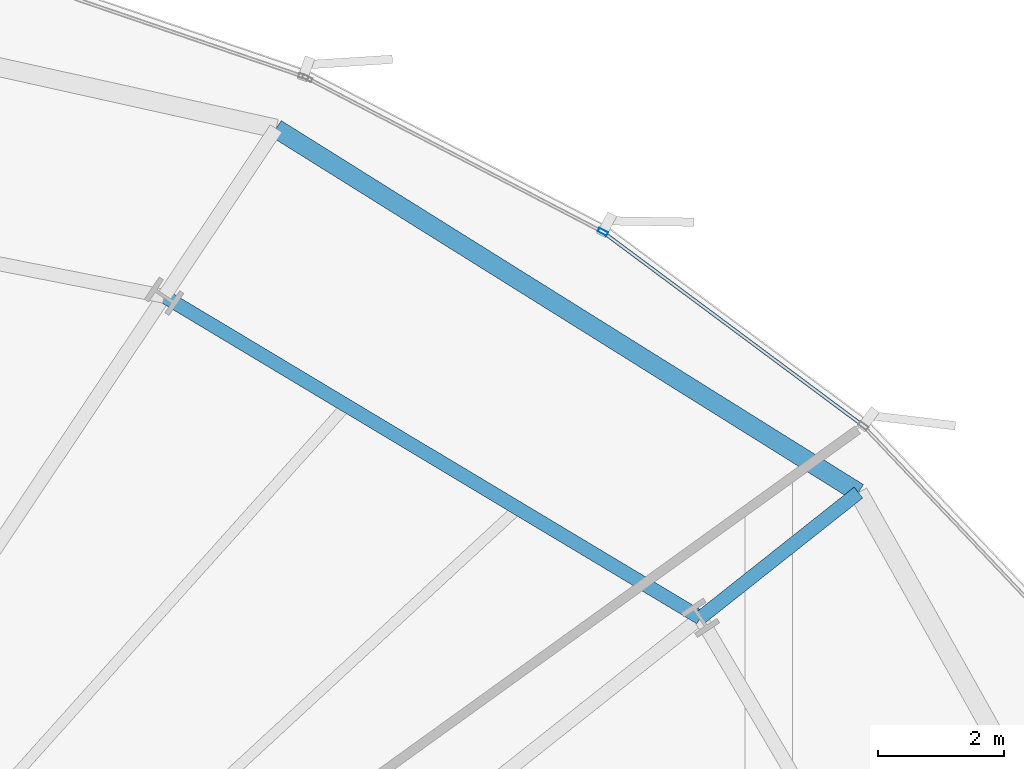
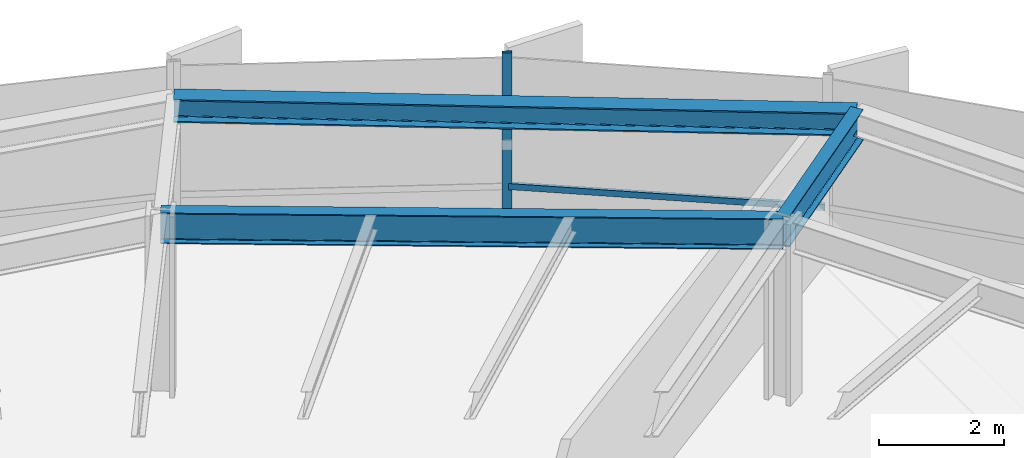
# One storey, part 28 of 42: 3 beams, 2 members, 1 element without a shape of its own.
"""IFC4 building model written with IfcOpenShell, lengths in metres."""

from ifc_helpers import new_model, si_unit, direction, frame, origin, origin_2d, place, context, subcontext, project, spatial, hollow_rectangle, i_section, extrude, source, transform, mapped, material, layer, layer_set, material_profile, profile_set, type_object, element, aggregate, save


model = new_model("IFC4")

# Units and contexts
model_context = context("Model", 3, precision=1e-05, world=origin(), true_north=direction((0.0, 1.0)))
body_context = subcontext(model_context, "Body", "Model", "MODEL_VIEW")
ifc_project = project(units=[si_unit("LENGTHUNIT", "METRE"), si_unit("AREAUNIT", "SQUARE_METRE"), si_unit("VOLUMEUNIT", "CUBIC_METRE"), si_unit("PLANEANGLEUNIT", "RADIAN"), si_unit("MASSUNIT", "GRAM", prefix="KILO"), si_unit("THERMODYNAMICTEMPERATUREUNIT", "KELVIN")], contexts=[model_context])

# Site, building, storey
site_placement = place(None, origin())
site = spatial("IfcSite", under=ifc_project, at=site_placement, CompositionType="ELEMENT")
building_placement = place(site_placement, origin())
building = spatial("IfcBuilding", under=site, at=building_placement, Name="Kethvar Cultural Tower", CompositionType="ELEMENT")
storey_placement = place(building_placement, frame((0.0, 0.0, 37.199951171875)))
storey = spatial("IfcBuildingStorey", under=building, at=storey_placement, Name="L08", CompositionType="ELEMENT", Elevation=37.199951171875)

# Beams
ifc_material_1 = material(Name="Steel S355J2", Category="steel")
ifc_material_profile_1 = material_profile(ifc_material_1, i_section(OverallWidth=0.219970703125, OverallDepth=0.60009765625, WebThickness=0.011962890625, FlangeThickness=0.01904296875, FilletRadius=0.02392578125, at=origin_2d()), Name="Steel S355J2 — IPE600")
ifc_profile_set_1 = profile_set([ifc_material_profile_1], Name="Steel S355J2 — IPE600")
beam_type_1 = type_object("IfcBeamType", Name="BM-IPE600", PredefinedType="BEAM", material=ifc_profile_set_1)
shared_shape_1 = source(origin(), body_context, "Body", "SweptSolid", [
    extrude(i_section(OverallWidth=0.219970703125, OverallDepth=0.60009765625, WebThickness=0.011962890625, FlangeThickness=0.01904296875, FilletRadius=0.02392578125, at=origin_2d()), origin(), (0.0, 0.0, 1.0), 3.199951171875),
])
beam_1_placement = place(storey_placement, frame((68.33642578125, 42.190185546875, 3.248046875), z_axis=(0.783844666756, 0.62095695374, 0.0), x_axis=(-0.62095695374, 0.783844666756, 0.0)))
element("IfcBeam", 1, at=beam_1_placement, inside=storey, type_object=beam_type_1, Name="L08 Perimeter Cantilever Beam RC-02", PredefinedType="BEAM", context=body_context, shape_type="MappedRepresentation", body=[
    mapped(shared_shape_1, transform((0.0, 0.0, 0.0), scale=1.0)),
])
shared_shape_2 = source(origin(), body_context, "Body", "SweptSolid", [
    extrude(i_section(OverallWidth=0.219970703125, OverallDepth=0.60009765625, WebThickness=0.011962890625, FlangeThickness=0.01904296875, FilletRadius=0.02392578125, at=origin_2d()), origin(), (0.0, 0.0, 1.0), 9.924072265625),
])
beam_2_placement = place(storey_placement, frame((68.33642578125, 42.190185546875, 3.248046875), z_axis=(-0.857664361463, 0.514209921215, 0.0), x_axis=(-0.514209921215, -0.857664361463, 0.0)))
element("IfcBeam", 2, at=beam_2_placement, inside=storey, type_object=beam_type_1, Name="L08 Column Ring Tie Beam CR-02", PredefinedType="BEAM", context=body_context, shape_type="MappedRepresentation", body=[
    mapped(shared_shape_2, transform((0.0, 0.0, 0.0), scale=1.0)),
])
ifc_material_profile_2 = material_profile(ifc_material_1, i_section(OverallWidth=0.300048828125, OverallDepth=0.449951171875, WebThickness=0.013916015625, FlangeThickness=0.02587890625, FilletRadius=0.027099609375, at=origin_2d()), Name="Steel S355J2 — HEB450")
ifc_profile_set_2 = profile_set([ifc_material_profile_2], Name="Steel S355J2 — HEB450")
beam_type_2 = type_object("IfcBeamType", Name="BM-SP450", PredefinedType="SPANDREL", material=ifc_profile_set_2)
shared_shape_3 = source(origin(), body_context, "Body", "SweptSolid", [
    extrude(i_section(OverallWidth=0.300048828125, OverallDepth=0.449951171875, WebThickness=0.013916015625, FlangeThickness=0.02587890625, FilletRadius=0.027099609375, at=origin_2d()), origin(), (0.0, 0.0, 1.0), 10.89892578125),
])
beam_3_placement = place(storey_placement, frame((70.8447265625, 44.17724609375, 3.322998046875), z_axis=(-0.847971875365, 0.530041223481, 0.0), x_axis=(-0.530041223481, -0.847971875365, 0.0)))
element("IfcBeam", 3, at=beam_3_placement, inside=storey, type_object=beam_type_2, Name="L08 Perimeter Spandrel Beam SP-02", PredefinedType="SPANDREL", context=body_context, shape_type="MappedRepresentation", body=[
    mapped(shared_shape_3, transform((0.0, 0.0, 0.0), scale=1.0)),
])

# Curtain wall, members
ifc_material_2 = material(Name="Aluminium 6063-T6", Category="aluminium")
ifc_layer = layer(ifc_material_2, 0.179931640625, Name="Aluminium 6063-T6", Category="aluminium")
ifc_layer_set = layer_set([ifc_layer], Name="Aluminium 6063-T6 (180 mm)")
curtain_wall_type = type_object("IfcCurtainWallType", Name="CW-SYS-02-Z1", PredefinedType="NOTDEFINED", material=ifc_layer_set)
curtain_wall_placement = place(storey_placement, origin())
curtain_wall = element("IfcCurtainWall", 4, at=curtain_wall_placement, inside=storey, type_object=curtain_wall_type, Name="L08 Curtain Wall Run 01", PredefinedType="NOTDEFINED")
ifc_material_profile_3 = material_profile(ifc_material_2, hollow_rectangle(XDim=0.06494140625, YDim=0.159912109375, WallThickness=0.0048828125, at=origin_2d()), Name="Aluminium 6063-T6 — RHS160x65x5")
ifc_profile_set_3 = profile_set([ifc_material_profile_3], Name="Aluminium 6063-T6 — RHS160x65x5")
member_type_1 = type_object("IfcMemberType", Name="CW-SYS-02-Z1-MUL", PredefinedType="MULLION", material=ifc_profile_set_3)
shared_shape_4 = source(origin(), body_context, "Body", "SweptSolid", [
    extrude(hollow_rectangle(XDim=0.06494140625, YDim=0.159912109375, WallThickness=0.0048828125, at=origin_2d()), origin(), (0.0, 0.0, 1.0), 3.550048828125),
])
member_1_placement = place(storey_placement, frame((66.7900390625, 48.313720703125, 0.0), z_axis=(0.0, 0.0, 1.0), x_axis=(-0.461407991495, -0.887188066525, 0.0)))
member_1 = element("IfcMember", 5, at=member_1_placement, type_object=member_type_1, Name="CW-L08-R01 Mullion 6", PredefinedType="MULLION", context=body_context, shape_type="MappedRepresentation", body=[
    mapped(shared_shape_4, transform((0.0, 0.0, 0.0), scale=1.0)),
])
ifc_material_profile_4 = material_profile(ifc_material_2, hollow_rectangle(XDim=0.054931640625, YDim=0.1201171875, WallThickness=0.00390625, at=origin_2d()), Name="Aluminium 6063-T6 — RHS120x55x4")
ifc_profile_set_4 = profile_set([ifc_material_profile_4], Name="Aluminium 6063-T6 — RHS120x55x4")
member_type_2 = type_object("IfcMemberType", Name="CW-SYS-02-Z1-TRN", PredefinedType="USERDEFINED", material=ifc_profile_set_4)
shared_shape_5 = source(origin(), body_context, "Body", "SweptSolid", [
    extrude(hollow_rectangle(XDim=0.054931640625, YDim=0.1201171875, WallThickness=0.00390625, at=origin_2d()), origin(), (0.0, 0.0, 1.0), 5.07666015625),
])
member_2_placement = place(storey_placement, frame((70.884521484375, 45.265869140625, 0.949951171875), z_axis=(-0.802348370047, 0.596856006992, 0.0), x_axis=(-0.596856006992, -0.802348370047, 0.0)))
member_2 = element("IfcMember", 6, at=member_2_placement, type_object=member_type_2, Name="CW-L08-R01 Transom 5", ObjectType="TRANSOM", PredefinedType="USERDEFINED", context=body_context, shape_type="MappedRepresentation", body=[
    mapped(shared_shape_5, transform((0.0, 0.0, 0.0), scale=1.0)),
])
aggregate(curtain_wall, [member_1, member_2])

save(model, "model.ifc")
